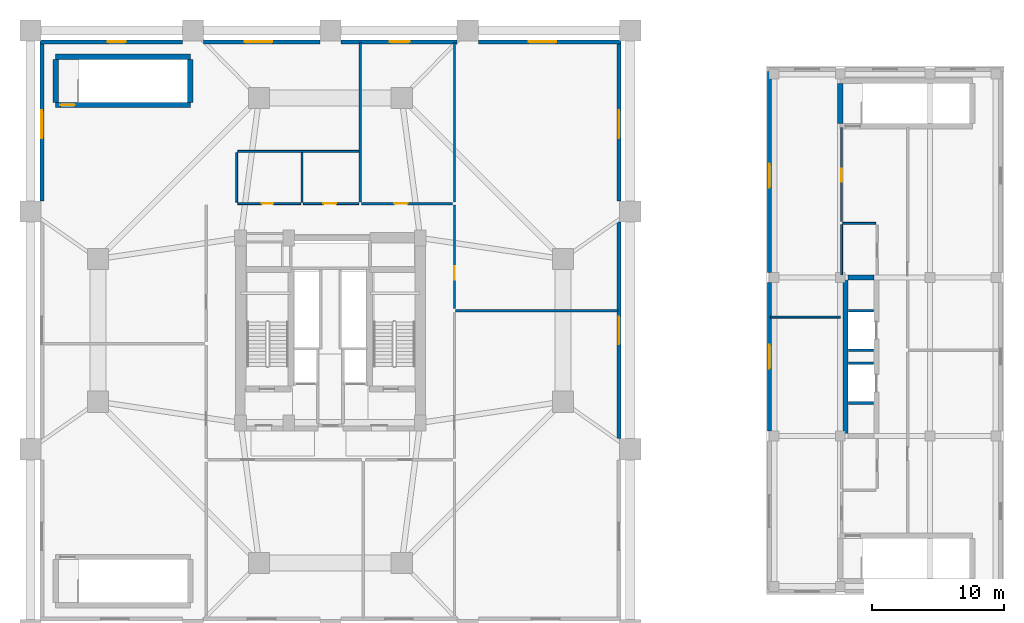
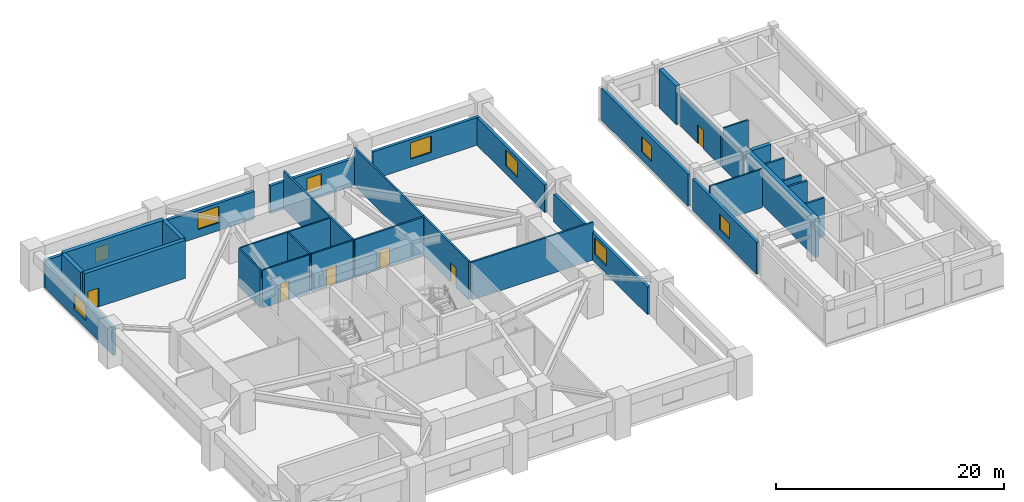
# One storey, part 4 of 8: 34 walls, 9 windows, 6 doors, 15 openings.
"""IFC4 building model written with IfcOpenShell, lengths in metres."""

from ifc_helpers import new_model, si_unit, direction, frame, frame_2d, origin, place, context, subcontext, project, spatial, rectangle, extrude, source, transform, mapped, material, layer, layer_set, type_object, element, fill, save


model = new_model("IFC4")

# Units and contexts
model_context = context("Model", 3, precision=1e-05, world=origin(), true_north=direction((0.0, 1.0)))
body_context = subcontext(model_context, "Body", "Model", "MODEL_VIEW")
ifc_project = project(units=[si_unit("LENGTHUNIT", "METRE"), si_unit("AREAUNIT", "SQUARE_METRE"), si_unit("VOLUMEUNIT", "CUBIC_METRE"), si_unit("PLANEANGLEUNIT", "RADIAN"), si_unit("MASSUNIT", "GRAM", prefix="KILO")], contexts=[model_context])

# Site, building, storey
site_placement = place(None, origin())
site = spatial("IfcSite", under=ifc_project, at=site_placement, CompositionType="ELEMENT")
building_placement = place(site_placement, origin())
building = spatial("IfcBuilding", under=site, at=building_placement, Name="Veraguas Prism Commons", CompositionType="ELEMENT")
storey_placement = place(building_placement, frame((0.0, 0.0, 18.39990234375)))
storey = spatial("IfcBuildingStorey", under=building, at=storey_placement, Name="L04", CompositionType="ELEMENT", Elevation=18.39990234375)

# Wall, opening, door
ifc_material_1 = material(Name="Concrete C50/60", Category="concrete")
ifc_layer_1 = layer(ifc_material_1, 0.39990234375, Name="Clinic and Mid Core Shear Wall RC 400", Category="concrete")
ifc_layer_set_1 = layer_set([ifc_layer_1], Name="Concrete C50/60")
wall_type_1 = type_object("IfcWallType", Name="Clinic and Mid Core Shear Wall RC 400", PredefinedType="SHEAR", material=ifc_layer_set_1)
wall_1_placement = place(storey_placement, frame((3.199951171875, 41.06005859375, 0.0), z_axis=(0.0, 0.0, 1.0), x_axis=(1.0, 0.0, 0.0)))
wall_1 = element("IfcWall", 1, at=wall_1_placement, inside=storey, type_object=wall_type_1, Name="ST-M2 South Shear Wall L04", PredefinedType="SHEAR", context=body_context, shape_type="SweptSolid", body=[
    extrude(rectangle(XDim=10.199951171875, YDim=0.39990234375, at=frame_2d((5.10009765625, 0.0))), origin(), (0.0, 0.0, 1.0), 4.050048828125),
])
opening_1_placement = place(wall_1_placement, frame((0.35009765625, 0.0, 0.0)))
opening_1 = element("IfcOpeningElement", 2, at=opening_1_placement, cuts=wall_1, Name="Opening DR-05", PredefinedType="OPENING", context=body_context, shape_type="SweptSolid", body=[
    extrude(rectangle(XDim=1.10009765625, YDim=2.030029296875, at=frame_2d((0.550048828125, 1.01513671875))), frame((0.0, 0.2099609375, 0.0), z_axis=(0.0, -1.0, 0.0), x_axis=(1.0, 0.0, 0.0)), (0.0, 0.0, 1.0), 0.419921875),
])
ifc_material_2 = material(Name="Steel fire-rated door assembly", Category="steel")
door_type_1 = type_object("IfcDoorType", Name="Protected Stair and Refuge Fire Door 1100x2030", OperationType="NOTDEFINED", PredefinedType="DOOR", material=ifc_material_2)
shared_shape_1 = source(origin(), body_context, "Body", "SweptSolid", [
    extrude(rectangle(XDim=1.10009765625, YDim=2.030029296875, at=frame_2d((0.550048828125, 1.01513671875))), frame((0.0, 0.02490234375, 0.0), z_axis=(0.0, -1.0, 0.0), x_axis=(1.0, 0.0, 0.0)), (0.0, 0.0, 1.0), 0.050048828125),
])
door_1_placement = place(opening_1_placement, origin())
door_1 = element("IfcDoor", 3, at=door_1_placement, inside=storey, type_object=door_type_1, Name="Metro Stair ST-M2 Door L04", OperationType="SINGLE_SWING_RIGHT", OverallHeight=2.030029296875, OverallWidth=1.10009765625, PredefinedType="DOOR", context=body_context, shape_type="MappedRepresentation", body=[
    mapped(shared_shape_1, transform((0.0, 0.0, 0.0), scale=1.0)),
])
fill(opening_1, door_1)

# Walls
wall_2_placement = place(storey_placement, frame((3.199951171875, 44.7099609375, 0.0), z_axis=(0.0, 0.0, 1.0), x_axis=(1.0, 0.0, 0.0)))
element("IfcWall", 4, at=wall_2_placement, inside=storey, type_object=wall_type_1, Name="ST-M2 North Shear Wall L04", PredefinedType="SHEAR", context=body_context, shape_type="SweptSolid", body=[
    extrude(rectangle(XDim=10.199951171875, YDim=0.39990234375, at=frame_2d((5.10009765625, 0.0))), origin(), (0.0, 0.0, 1.0), 4.050048828125),
])
for number, where, z_axis, x_axis, name in (
    (5, (3.199951171875, 41.260009765625, 0.0), (0.0, 0.0, 1.0), (0.0, 1.0, 0.0), "ST-M2 West Shear Wall L04"),
    (6, (13.39990234375, 41.260009765625, 0.0), (0.0, 0.0, 1.0), (0.0, 1.0, 0.0), "ST-M2 East Shear Wall L04"),
):
    element("IfcWall", number, at=place(storey_placement, frame(where, z_axis=z_axis, x_axis=x_axis)), inside=storey, type_object=wall_type_1, Name=name, PredefinedType="SHEAR", context=body_context, shape_type="SweptSolid", body=[
        extrude(rectangle(XDim=3.25, YDim=0.39990234375, at=frame_2d((1.625, 0.0))), origin(), (0.0, 0.0, 1.0), 4.050048828125),
    ])
wall_3_placement = place(storey_placement, frame((63.0, 16.0, 0.0), z_axis=(0.0, 0.0, 1.0), x_axis=(0.0, 1.0, 0.0)))
element("IfcWall", 7, at=wall_3_placement, inside=storey, type_object=wall_type_1, Name="Health Centre Core West Shear Wall L04", PredefinedType="SHEAR", context=body_context, shape_type="SweptSolid", body=[
    extrude(rectangle(XDim=12.0, YDim=0.39990234375, at=frame_2d((6.0, 0.0))), origin(), (0.0, 0.0, 1.0), 4.14013671875),
])
wall_4_placement = place(storey_placement, frame((63.199951171875, 28.0, 0.0), z_axis=(0.0, 0.0, 1.0), x_axis=(1.0, 0.0, 0.0)))
element("IfcWall", 8, at=wall_4_placement, inside=storey, type_object=wall_type_1, Name="Health Centre Core North Wall L04", PredefinedType="SHEAR", context=body_context, shape_type="SweptSolid", body=[
    extrude(rectangle(XDim=1.949951171875, YDim=0.39990234375, at=frame_2d((0.97509765625, 0.0))), origin(), (0.0, 0.0, 1.0), 4.14013671875),
])
wall_5_placement = place(storey_placement, frame((62.60009765625, 39.659912109375, 0.0), z_axis=(0.0, 0.0, 1.0), x_axis=(0.0, 1.0, 0.0)))
element("IfcWall", 9, at=wall_5_placement, inside=storey, type_object=wall_type_1, Name="ST-H2 West Shear Wall L04", PredefinedType="SHEAR", context=body_context, shape_type="SweptSolid", body=[
    extrude(rectangle(XDim=3.050048828125, YDim=0.39990234375, at=frame_2d((1.52490234375, 0.0))), origin(), (0.0, 0.0, 1.0), 4.14013671875),
])

# Wall, opening, door
ifc_material_3 = material(Name="Autoclaved aerated masonry block 10 MPa", Category="masonry")
ifc_layer_2 = layer(ifc_material_3, 0.179931640625, Name="Corridor and Inter-Tenancy Partition 180", Category="masonry")
ifc_layer_set_2 = layer_set([ifc_layer_2], Name="Autoclaved aerated masonry block 10 MPa")
wall_type_2 = type_object("IfcWallType", Name="Corridor and Inter-Tenancy Partition 180", PredefinedType="PARTITIONING", material=ifc_layer_set_2)
wall_6_placement = place(storey_placement, frame((33.39990234375, 25.64990234375, 0.0), z_axis=(0.0, 0.0, 1.0), x_axis=(0.0, 1.0, 0.0)))
wall_6 = element("IfcWall", 10, at=wall_6_placement, inside=storey, type_object=wall_type_2, Name="WL-L04-PDPT08", PredefinedType="PARTITIONING", context=body_context, shape_type="SweptSolid", body=[
    extrude(rectangle(XDim=7.85009765625, YDim=0.179931640625, at=frame_2d((3.925048828125, 0.0))), origin(), (0.0, 0.0, 1.0), 4.050048828125),
])
opening_2_placement = place(wall_6_placement, frame((2.199951171875, 0.0, 0.0)))
opening_2 = element("IfcOpeningElement", 11, at=opening_2_placement, cuts=wall_6, Name="Opening DR-13", PredefinedType="OPENING", context=body_context, shape_type="SweptSolid", body=[
    extrude(rectangle(XDim=1.0, YDim=2.010009765625, at=frame_2d((0.5, 1.0048828125))), frame((0.0, 0.099853515625, 0.0), z_axis=(0.0, -1.0, 0.0), x_axis=(1.0, 0.0, 0.0)), (0.0, 0.0, 1.0), 0.199951171875),
])
door_type_2 = type_object("IfcDoorType", Name="Core Accessible WC and Clinic Fire Door 1000x2010", OperationType="NOTDEFINED", PredefinedType="DOOR", material=ifc_material_2)
shared_shape_2 = source(origin(), body_context, "Body", "SweptSolid", [
    extrude(rectangle(XDim=1.0, YDim=2.010009765625, at=frame_2d((0.5, 1.0048828125))), frame((0.0, 0.02490234375, 0.0), z_axis=(0.0, -1.0, 0.0), x_axis=(1.0, 0.0, 0.0)), (0.0, 0.0, 1.0), 0.050048828125),
])
door_2_placement = place(opening_2_placement, origin())
door_2 = element("IfcDoor", 12, at=door_2_placement, inside=storey, type_object=door_type_2, Name="Youth Recreation Hall Door", OperationType="SINGLE_SWING_RIGHT", OverallHeight=2.010009765625, OverallWidth=1.0, PredefinedType="DOOR", context=body_context, shape_type="MappedRepresentation", body=[
    mapped(shared_shape_2, transform((0.0, 0.0, 0.0), scale=1.0)),
])
fill(opening_2, door_2)

# Wall
wall_7_placement = place(storey_placement, frame((33.47998046875, 25.5, 0.0), z_axis=(0.0, 0.0, 1.0), x_axis=(1.0, 0.0, 0.0)))
element("IfcWall", 13, at=wall_7_placement, inside=storey, type_object=wall_type_2, Name="WL-L04-PDPT09", PredefinedType="PARTITIONING", context=body_context, shape_type="SweptSolid", body=[
    extrude(rectangle(XDim=12.300048828125, YDim=0.179931640625, at=frame_2d((6.14990234375, 0.0))), origin(), (0.0, 0.0, 1.0), 4.050048828125),
])

# Wall, opening, door
wall_8_placement = place(storey_placement, frame((26.35009765625, 33.60009765625, 0.0), z_axis=(0.0, 0.0, 1.0), x_axis=(1.0, 0.0, 0.0)))
wall_8 = element("IfcWall", 14, at=wall_8_placement, inside=storey, type_object=wall_type_2, Name="WL-L04-PDPT12", PredefinedType="PARTITIONING", context=body_context, shape_type="SweptSolid", body=[
    extrude(rectangle(XDim=6.89990234375, YDim=0.179931640625, at=frame_2d((3.449951171875, 0.0))), origin(), (0.0, 0.0, 1.0), 4.050048828125),
])
opening_3_placement = place(wall_8_placement, frame((2.5, 0.0, 0.0)))
opening_3 = element("IfcOpeningElement", 15, at=opening_3_placement, cuts=wall_8, Name="Opening DR-13", PredefinedType="OPENING", context=body_context, shape_type="SweptSolid", body=[
    extrude(rectangle(XDim=1.0, YDim=2.010009765625, at=frame_2d((0.5, 1.0048828125))), frame((0.0, 0.099853515625, 0.0), z_axis=(0.0, -1.0, 0.0), x_axis=(1.0, 0.0, 0.0)), (0.0, 0.0, 1.0), 0.199951171875),
])
door_3_placement = place(opening_3_placement, origin())
door_3 = element("IfcDoor", 16, at=door_3_placement, inside=storey, type_object=door_type_2, Name="Seminar Room Door L04", OperationType="SINGLE_SWING_LEFT", OverallHeight=2.010009765625, OverallWidth=1.0, PredefinedType="DOOR", context=body_context, shape_type="MappedRepresentation", body=[
    mapped(shared_shape_2, transform((0.0, 0.0, 0.0), scale=1.0)),
])
fill(opening_3, door_3)

# Walls
for number, where, z_axis, x_axis, name in (
    (17, (26.25, 33.719970703125, 0.0), (0.0, 0.0, 1.0), (0.0, 1.0, 0.0), "WL-L04-PDPT14"),
    (18, (33.39990234375, 33.719970703125, 0.0), (0.0, 0.0, 1.0), (0.0, 1.0, 0.0), "WL-L04-PDPT14E"),
):
    element("IfcWall", number, at=place(storey_placement, frame(where, z_axis=z_axis, x_axis=x_axis)), inside=storey, type_object=wall_type_2, Name=name, PredefinedType="PARTITIONING", context=body_context, shape_type="SweptSolid", body=[
        extrude(rectangle(XDim=12.06005859375, YDim=0.179931640625, at=frame_2d((6.030029296875, 0.0))), origin(), (0.0, 0.0, 1.0), 4.050048828125),
    ])

# Wall, opening, door
wall_9_placement = place(storey_placement, frame((62.699951171875, 32.25, 0.0), z_axis=(0.0, 0.0, 1.0), x_axis=(0.0, 1.0, 0.0)))
wall_9 = element("IfcWall", 19, at=wall_9_placement, inside=storey, type_object=wall_type_2, Name="WL-L04-HCPT06", PredefinedType="PARTITIONING", context=body_context, shape_type="SweptSolid", body=[
    extrude(rectangle(XDim=7.10009765625, YDim=0.179931640625, at=frame_2d((3.550048828125, 0.0))), origin(), (0.0, 0.0, 1.0), 3.5400390625),
])
opening_4_placement = place(wall_9_placement, frame((3.0, 0.0, 0.0)))
opening_4 = element("IfcOpeningElement", 20, at=opening_4_placement, cuts=wall_9, Name="Opening DR-13", PredefinedType="OPENING", context=body_context, shape_type="SweptSolid", body=[
    extrude(rectangle(XDim=1.0, YDim=2.010009765625, at=frame_2d((0.5, 1.0048828125))), frame((0.0, 0.099853515625, 0.0), z_axis=(0.0, -1.0, 0.0), x_axis=(1.0, 0.0, 0.0)), (0.0, 0.0, 1.0), 0.199951171875),
])
door_4_placement = place(opening_4_placement, origin())
door_4 = element("IfcDoor", 21, at=door_4_placement, inside=storey, type_object=door_type_2, Name="Occupational Therapy Consulting Room Door", OperationType="SINGLE_SWING_LEFT", OverallHeight=2.010009765625, OverallWidth=1.0, PredefinedType="DOOR", context=body_context, shape_type="MappedRepresentation", body=[
    mapped(shared_shape_2, transform((0.0, 0.0, 0.0), scale=1.0)),
])
fill(opening_4, door_4)

# Wall, opening, window
ifc_material_4 = material(Name="Precast concrete C40/50", Category="concrete")
ifc_layer_3 = layer(ifc_material_4, 0.300048828125, Name="External Precast Facade Wall 300", Category="concrete")
ifc_layer_set_3 = layer_set([ifc_layer_3], Name="Precast concrete C40/50")
wall_type_3 = type_object("IfcWallType", Name="External Precast Facade Wall 300", PredefinedType="SOLIDWALL", material=ifc_layer_set_3)
wall_10_placement = place(storey_placement, frame((45.85009765625, 15.800048828125, 0.0), z_axis=(0.0, 0.0, 1.0), x_axis=(0.0, 1.0, 0.0)))
wall_10 = element("IfcWall", 22, at=wall_10_placement, inside=storey, type_object=wall_type_3, Name="Podium East Plaza Wall L04-02", PredefinedType="SOLIDWALL", context=body_context, shape_type="SweptSolid", body=[
    extrude(rectangle(XDim=16.39990234375, YDim=0.300048828125, at=frame_2d((8.199951171875, 0.0))), origin(), (0.0, 0.0, 1.0), 2.9501953125),
])
opening_5_placement = place(wall_10_placement, frame((7.14990234375, 0.0, 0.85009765625)))
opening_5 = element("IfcOpeningElement", 23, at=opening_5_placement, cuts=wall_10, Name="Opening WN-07", PredefinedType="OPENING", context=body_context, shape_type="SweptSolid", body=[
    extrude(rectangle(XDim=2.10009765625, YDim=1.75, at=frame_2d((1.050048828125, 0.875))), frame((0.0, 0.159912109375, 0.0), z_axis=(0.0, -1.0, 0.0), x_axis=(1.0, 0.0, 0.0)), (0.0, 0.0, 1.0), 0.320068359375),
])
ifc_material_5 = material(Name="Laminated low-e glass", Category="glass")
window_type_1 = type_object("IfcWindowType", Name="Podium Community Window 2100x1750", PartitioningType="DOUBLE_PANEL_VERTICAL", PredefinedType="WINDOW", material=ifc_material_5)
shared_shape_3 = source(origin(), body_context, "Body", "SweptSolid", [
    extrude(rectangle(XDim=2.10009765625, YDim=1.75, at=frame_2d((1.050048828125, 0.875))), frame((0.0, 0.030029296875, 0.0), z_axis=(0.0, -1.0, 0.0), x_axis=(1.0, 0.0, 0.0)), (0.0, 0.0, 1.0), 0.06005859375),
])
window_1_placement = place(opening_5_placement, origin())
window_1 = element("IfcWindow", 24, at=window_1_placement, inside=storey, type_object=window_type_1, Name="Podium East Window L04-02", OverallHeight=1.75, OverallWidth=2.10009765625, PartitioningType="DOUBLE_PANEL_VERTICAL", PredefinedType="WINDOW", context=body_context, shape_type="MappedRepresentation", body=[
    mapped(shared_shape_3, transform((0.0, 0.0, 0.0), scale=1.0)),
])
fill(opening_5, window_1)

wall_11_placement = place(storey_placement, frame((45.85009765625, 33.800048828125, 0.0), z_axis=(0.0, 0.0, 1.0), x_axis=(0.0, 1.0, 0.0)))
wall_11 = element("IfcWall", 25, at=wall_11_placement, inside=storey, type_object=wall_type_3, Name="Podium East Plaza Wall L04-03", PredefinedType="SOLIDWALL", context=body_context, shape_type="SweptSolid", body=[
    extrude(rectangle(XDim=11.89990234375, YDim=0.300048828125, at=frame_2d((5.949951171875, 0.0))), origin(), (0.0, 0.0, 1.0), 2.9501953125),
])
opening_6_placement = place(wall_11_placement, frame((4.75, 0.0, 0.85009765625)))
opening_6 = element("IfcOpeningElement", 26, at=opening_6_placement, cuts=wall_11, Name="Opening WN-07", PredefinedType="OPENING", context=body_context, shape_type="SweptSolid", body=[
    extrude(rectangle(XDim=2.10009765625, YDim=1.75, at=frame_2d((1.050048828125, 0.875))), frame((0.0, 0.159912109375, 0.0), z_axis=(0.0, -1.0, 0.0), x_axis=(1.0, 0.0, 0.0)), (0.0, 0.0, 1.0), 0.320068359375),
])
window_2_placement = place(opening_6_placement, origin())
window_2 = element("IfcWindow", 27, at=window_2_placement, inside=storey, type_object=window_type_1, Name="Podium East Window L04-03", OverallHeight=1.75, OverallWidth=2.10009765625, PartitioningType="DOUBLE_PANEL_VERTICAL", PredefinedType="WINDOW", context=body_context, shape_type="MappedRepresentation", body=[
    mapped(shared_shape_3, transform((0.0, 0.0, 0.0), scale=1.0)),
])
fill(opening_6, window_2)

wall_12_placement = place(storey_placement, frame((46.0, 45.85009765625, 0.0), z_axis=(0.0, 0.0, 1.0), x_axis=(-1.0, 0.0, 0.0)))
wall_12 = element("IfcWall", 28, at=wall_12_placement, inside=storey, type_object=wall_type_3, Name="Podium North Facade Wall L04-01", PredefinedType="SOLIDWALL", context=body_context, shape_type="SweptSolid", body=[
    extrude(rectangle(XDim=10.800048828125, YDim=0.300048828125, at=frame_2d((5.39990234375, 0.0))), origin(), (0.0, 0.0, 1.0), 2.9501953125),
])
opening_7_placement = place(wall_12_placement, frame((4.89990234375, 0.0, 0.85009765625)))
opening_7 = element("IfcOpeningElement", 29, at=opening_7_placement, cuts=wall_12, Name="Opening WN-07", PredefinedType="OPENING", context=body_context, shape_type="SweptSolid", body=[
    extrude(rectangle(XDim=2.10009765625, YDim=1.75, at=frame_2d((1.050048828125, 0.875))), frame((0.0, 0.159912109375, 0.0), z_axis=(0.0, -1.0, 0.0), x_axis=(1.0, 0.0, 0.0)), (0.0, 0.0, 1.0), 0.320068359375),
])
window_3_placement = place(opening_7_placement, origin())
window_3 = element("IfcWindow", 30, at=window_3_placement, inside=storey, type_object=window_type_1, Name="Podium North Window L04-01", OverallHeight=1.75, OverallWidth=2.10009765625, PartitioningType="DOUBLE_PANEL_VERTICAL", PredefinedType="WINDOW", context=body_context, shape_type="MappedRepresentation", body=[
    mapped(shared_shape_3, transform((0.0, 0.0, 0.0), scale=1.0)),
])
fill(opening_7, window_3)

wall_13_placement = place(storey_placement, frame((33.60009765625, 45.85009765625, 0.0), z_axis=(0.0, 0.0, 1.0), x_axis=(-1.0, 0.0, 0.0)))
wall_13 = element("IfcWall", 31, at=wall_13_placement, inside=storey, type_object=wall_type_3, Name="Podium North Facade Wall L04-02", PredefinedType="SOLIDWALL", context=body_context, shape_type="SweptSolid", body=[
    extrude(rectangle(XDim=8.800048828125, YDim=0.300048828125, at=frame_2d((4.39990234375, 0.0))), origin(), (0.0, 0.0, 1.0), 2.9501953125),
])
opening_8_placement = place(wall_13_placement, frame((3.60009765625, 0.0, 0.85009765625)))
opening_8 = element("IfcOpeningElement", 32, at=opening_8_placement, cuts=wall_13, Name="Opening WN-05", PredefinedType="OPENING", context=body_context, shape_type="SweptSolid", body=[
    extrude(rectangle(XDim=1.5, YDim=1.60009765625, at=frame_2d((0.75, 0.800048828125))), frame((0.0, 0.159912109375, 0.0), z_axis=(0.0, -1.0, 0.0), x_axis=(1.0, 0.0, 0.0)), (0.0, 0.0, 1.0), 0.320068359375),
])
window_type_2 = type_object("IfcWindowType", Name="Loggia Living Side Window 1500x1600", PartitioningType="DOUBLE_PANEL_VERTICAL", PredefinedType="WINDOW", material=ifc_material_5)
shared_shape_4 = source(origin(), body_context, "Body", "SweptSolid", [
    extrude(rectangle(XDim=1.5, YDim=1.60009765625, at=frame_2d((0.75, 0.800048828125))), frame((0.0, 0.030029296875, 0.0), z_axis=(0.0, -1.0, 0.0), x_axis=(1.0, 0.0, 0.0)), (0.0, 0.0, 1.0), 0.06005859375),
])
window_4_placement = place(opening_8_placement, origin())
window_4 = element("IfcWindow", 33, at=window_4_placement, inside=storey, type_object=window_type_2, Name="Podium North Window L04-02", OverallHeight=1.60009765625, OverallWidth=1.5, PartitioningType="DOUBLE_PANEL_VERTICAL", PredefinedType="WINDOW", context=body_context, shape_type="MappedRepresentation", body=[
    mapped(shared_shape_4, transform((0.0, 0.0, 0.0), scale=1.0)),
])
fill(opening_8, window_4)

wall_14_placement = place(storey_placement, frame((23.199951171875, 45.85009765625, 0.0), z_axis=(0.0, 0.0, 1.0), x_axis=(-1.0, 0.0, 0.0)))
wall_14 = element("IfcWall", 34, at=wall_14_placement, inside=storey, type_object=wall_type_3, Name="Podium North Facade Wall L04-03", PredefinedType="SOLIDWALL", context=body_context, shape_type="SweptSolid", body=[
    extrude(rectangle(XDim=8.800048828125, YDim=0.300048828125, at=frame_2d((4.39990234375, 0.0))), origin(), (0.0, 0.0, 1.0), 2.9501953125),
])
opening_9_placement = place(wall_14_placement, frame((3.60009765625, 0.0, 0.85009765625)))
opening_9 = element("IfcOpeningElement", 35, at=opening_9_placement, cuts=wall_14, Name="Opening WN-07", PredefinedType="OPENING", context=body_context, shape_type="SweptSolid", body=[
    extrude(rectangle(XDim=2.10009765625, YDim=1.75, at=frame_2d((1.050048828125, 0.875))), frame((0.0, 0.159912109375, 0.0), z_axis=(0.0, -1.0, 0.0), x_axis=(1.0, 0.0, 0.0)), (0.0, 0.0, 1.0), 0.320068359375),
])
window_5_placement = place(opening_9_placement, origin())
window_5 = element("IfcWindow", 36, at=window_5_placement, inside=storey, type_object=window_type_1, Name="Podium North Window L04-03", OverallHeight=1.75, OverallWidth=2.10009765625, PartitioningType="DOUBLE_PANEL_VERTICAL", PredefinedType="WINDOW", context=body_context, shape_type="MappedRepresentation", body=[
    mapped(shared_shape_3, transform((0.0, 0.0, 0.0), scale=1.0)),
])
fill(opening_9, window_5)

wall_15_placement = place(storey_placement, frame((12.800048828125, 45.85009765625, 0.0), z_axis=(0.0, 0.0, 1.0), x_axis=(-1.0, 0.0, 0.0)))
wall_15 = element("IfcWall", 37, at=wall_15_placement, inside=storey, type_object=wall_type_3, Name="Podium North Facade Wall L04-04", PredefinedType="SOLIDWALL", context=body_context, shape_type="SweptSolid", body=[
    extrude(rectangle(XDim=10.800048828125, YDim=0.300048828125, at=frame_2d((5.39990234375, 0.0))), origin(), (0.0, 0.0, 1.0), 2.9501953125),
])
opening_10_placement = place(wall_15_placement, frame((4.300048828125, 0.0, 0.85009765625)))
opening_10 = element("IfcOpeningElement", 38, at=opening_10_placement, cuts=wall_15, Name="Opening WN-06", PredefinedType="OPENING", context=body_context, shape_type="SweptSolid", body=[
    extrude(rectangle(XDim=1.35009765625, YDim=1.550048828125, at=frame_2d((0.675048828125, 0.77490234375))), frame((0.0, 0.159912109375, 0.0), z_axis=(0.0, -1.0, 0.0), x_axis=(1.0, 0.0, 0.0)), (0.0, 0.0, 1.0), 0.320068359375),
])
window_type_3 = type_object("IfcWindowType", Name="Loggia Bedroom Side Window 1350x1550", PartitioningType="SINGLE_PANEL", PredefinedType="WINDOW", material=ifc_material_5)
shared_shape_5 = source(origin(), body_context, "Body", "SweptSolid", [
    extrude(rectangle(XDim=1.35009765625, YDim=1.550048828125, at=frame_2d((0.675048828125, 0.77490234375))), frame((0.0, 0.030029296875, 0.0), z_axis=(0.0, -1.0, 0.0), x_axis=(1.0, 0.0, 0.0)), (0.0, 0.0, 1.0), 0.06005859375),
])
window_6_placement = place(opening_10_placement, origin())
window_6 = element("IfcWindow", 39, at=window_6_placement, inside=storey, type_object=window_type_3, Name="Podium North Window L04-04", OverallHeight=1.550048828125, OverallWidth=1.35009765625, PartitioningType="SINGLE_PANEL", PredefinedType="WINDOW", context=body_context, shape_type="MappedRepresentation", body=[
    mapped(shared_shape_5, transform((0.0, 0.0, 0.0), scale=1.0)),
])
fill(opening_10, window_6)

wall_16_placement = place(storey_placement, frame((2.14990234375, 45.699951171875, 0.0), z_axis=(0.0, 0.0, 1.0), x_axis=(0.0, -1.0, 0.0)))
wall_16 = element("IfcWall", 40, at=wall_16_placement, inside=storey, type_object=wall_type_3, Name="Podium West Facade Wall L04-01", PredefinedType="SOLIDWALL", context=body_context, shape_type="SweptSolid", body=[
    extrude(rectangle(XDim=11.89990234375, YDim=0.300048828125, at=frame_2d((5.949951171875, 0.0))), origin(), (0.0, 0.0, 1.0), 2.9501953125),
])
opening_11_placement = place(wall_16_placement, frame((5.050048828125, 0.0, 0.85009765625)))
opening_11 = element("IfcOpeningElement", 41, at=opening_11_placement, cuts=wall_16, Name="Opening WN-07", PredefinedType="OPENING", context=body_context, shape_type="SweptSolid", body=[
    extrude(rectangle(XDim=2.10009765625, YDim=1.75, at=frame_2d((1.050048828125, 0.875))), frame((0.0, 0.159912109375, 0.0), z_axis=(0.0, -1.0, 0.0), x_axis=(1.0, 0.0, 0.0)), (0.0, 0.0, 1.0), 0.320068359375),
])
window_7_placement = place(opening_11_placement, origin())
window_7 = element("IfcWindow", 42, at=window_7_placement, inside=storey, type_object=window_type_1, Name="Podium West Window L04-01", OverallHeight=1.75, OverallWidth=2.10009765625, PartitioningType="DOUBLE_PANEL_VERTICAL", PredefinedType="WINDOW", context=body_context, shape_type="MappedRepresentation", body=[
    mapped(shared_shape_3, transform((0.0, 0.0, 0.0), scale=1.0)),
])
fill(opening_11, window_7)

wall_17_placement = place(storey_placement, frame((57.25, 43.60009765625, 0.0), z_axis=(0.0, 0.0, 1.0), x_axis=(0.0, -1.0, 0.0)))
wall_17 = element("IfcWall", 43, at=wall_17_placement, inside=storey, type_object=wall_type_3, Name="Health Centre West Plaza Wall L04-01", PredefinedType="SOLIDWALL", context=body_context, shape_type="SweptSolid", body=[
    extrude(rectangle(XDim=15.22509765625, YDim=0.300048828125, at=frame_2d((7.612548828125, 0.0))), origin(), (0.0, 0.0, 1.0), 3.39013671875),
])
opening_12_placement = place(wall_17_placement, frame((7.0, 0.0, 0.85009765625)))
opening_12 = element("IfcOpeningElement", 44, at=opening_12_placement, cuts=wall_17, Name="Opening WN-01", PredefinedType="OPENING", context=body_context, shape_type="SweptSolid", body=[
    extrude(rectangle(XDim=1.800048828125, YDim=1.64990234375, at=frame_2d((0.89990234375, 0.824951171875))), frame((0.0, 0.159912109375, 0.0), z_axis=(0.0, -1.0, 0.0), x_axis=(1.0, 0.0, 0.0)), (0.0, 0.0, 1.0), 0.320068359375),
])
window_type_4 = type_object("IfcWindowType", Name="Clinic Consulting Double Window 1800x1650", PartitioningType="DOUBLE_PANEL_VERTICAL", PredefinedType="WINDOW", material=ifc_material_5)
shared_shape_6 = source(origin(), body_context, "Body", "SweptSolid", [
    extrude(rectangle(XDim=1.800048828125, YDim=1.64990234375, at=frame_2d((0.89990234375, 0.824951171875))), frame((0.0, 0.030029296875, 0.0), z_axis=(0.0, -1.0, 0.0), x_axis=(1.0, 0.0, 0.0)), (0.0, 0.0, 1.0), 0.06005859375),
])
window_8_placement = place(opening_12_placement, origin())
window_8 = element("IfcWindow", 45, at=window_8_placement, inside=storey, type_object=window_type_4, Name="Health Centre West Window L04-01", OverallHeight=1.64990234375, OverallWidth=1.800048828125, PartitioningType="DOUBLE_PANEL_VERTICAL", PredefinedType="WINDOW", context=body_context, shape_type="MappedRepresentation", body=[
    mapped(shared_shape_6, transform((0.0, 0.0, 0.0), scale=1.0)),
])
fill(opening_12, window_8)

wall_18_placement = place(storey_placement, frame((57.25, 27.625, 0.0), z_axis=(0.0, 0.0, 1.0), x_axis=(0.0, -1.0, 0.0)))
wall_18 = element("IfcWall", 46, at=wall_18_placement, inside=storey, type_object=wall_type_3, Name="Health Centre West Plaza Wall L04-02", PredefinedType="SOLIDWALL", context=body_context, shape_type="SweptSolid", body=[
    extrude(rectangle(XDim=11.25, YDim=0.300048828125, at=frame_2d((5.625, 0.0))), origin(), (0.0, 0.0, 1.0), 3.39013671875),
])
opening_13_placement = place(wall_18_placement, frame((4.72509765625, 0.0, 0.85009765625)))
opening_13 = element("IfcOpeningElement", 47, at=opening_13_placement, cuts=wall_18, Name="Opening WN-01", PredefinedType="OPENING", context=body_context, shape_type="SweptSolid", body=[
    extrude(rectangle(XDim=1.800048828125, YDim=1.64990234375, at=frame_2d((0.89990234375, 0.824951171875))), frame((0.0, 0.159912109375, 0.0), z_axis=(0.0, -1.0, 0.0), x_axis=(1.0, 0.0, 0.0)), (0.0, 0.0, 1.0), 0.320068359375),
])
window_9_placement = place(opening_13_placement, origin())
window_9 = element("IfcWindow", 48, at=window_9_placement, inside=storey, type_object=window_type_4, Name="Health Centre West Window L04-02", OverallHeight=1.64990234375, OverallWidth=1.800048828125, PartitioningType="DOUBLE_PANEL_VERTICAL", PredefinedType="WINDOW", context=body_context, shape_type="MappedRepresentation", body=[
    mapped(shared_shape_6, transform((0.0, 0.0, 0.0), scale=1.0)),
])
fill(opening_13, window_9)

# Walls
ifc_layer_4 = layer(ifc_material_3, 0.199951171875, Name="Rated Shaft and Lobby Block Wall 200", Category="masonry")
ifc_layer_set_4 = layer_set([ifc_layer_4], Name="Autoclaved aerated masonry block 10 MPa")
wall_type_4 = type_object("IfcWallType", Name="Rated Shaft and Lobby Block Wall 200", PredefinedType="SOLIDWALL", material=ifc_layer_set_4)
for number, where, z_axis, x_axis, name in (
    (49, (63.219970703125, 18.5, 0.0), (0.0, 0.0, 1.0), (1.0, 0.0, 0.0), "Health Centre Lift Shaft Divider Wall L04-CL1S"),
    (50, (63.219970703125, 21.5, 0.0), (0.0, 0.0, 1.0), (1.0, 0.0, 0.0), "Health Centre Lift Shaft Divider Wall L04-CL1N"),
    (51, (63.219970703125, 22.5, 0.0), (0.0, 0.0, 1.0), (1.0, 0.0, 0.0), "Health Centre Lift Shaft Divider Wall L04-CL2S"),
    (52, (63.219970703125, 25.5, 0.0), (0.0, 0.0, 1.0), (1.0, 0.0, 0.0), "Health Centre Lift Shaft Divider Wall L04-CL2N"),
):
    element("IfcWall", number, at=place(storey_placement, frame(where, z_axis=z_axis, x_axis=x_axis)), inside=storey, type_object=wall_type_4, Name=name, PredefinedType="SOLIDWALL", context=body_context, shape_type="SweptSolid", body=[
        extrude(rectangle(XDim=1.909912109375, YDim=0.199951171875, at=frame_2d((0.955078125, 0.0))), origin(), (0.0, 0.0, 1.0), 4.14013671875),
    ])

# Wall, opening, door
ifc_material_6 = material(Name="Lightweight acoustic gypsum board")
ifc_layer_5 = layer(ifc_material_6, 0.14990234375, Name="Wet Room and Clinic Acoustic Partition 150")
ifc_layer_set_5 = layer_set([ifc_layer_5], Name="Lightweight acoustic gypsum board")
wall_type_5 = type_object("IfcWallType", Name="Wet Room and Clinic Acoustic Partition 150", PredefinedType="PARTITIONING", material=ifc_layer_set_5)
wall_19_placement = place(storey_placement, frame((17.0, 33.60009765625, 0.0), z_axis=(0.0, 0.0, 1.0), x_axis=(1.0, 0.0, 0.0)))
wall_19 = element("IfcWall", 53, at=wall_19_placement, inside=storey, type_object=wall_type_5, Name="WL-L04-PDPT10", PredefinedType="PARTITIONING", context=body_context, shape_type="SweptSolid", body=[
    extrude(rectangle(XDim=4.75, YDim=0.14990234375, at=frame_2d((2.375, 0.0))), origin(), (0.0, 0.0, 1.0), 4.050048828125),
])
opening_14_placement = place(wall_19_placement, frame((1.800048828125, 0.0, 0.0)))
opening_14 = element("IfcOpeningElement", 54, at=opening_14_placement, cuts=wall_19, Name="Opening DR-12", PredefinedType="OPENING", context=body_context, shape_type="SweptSolid", body=[
    extrude(rectangle(XDim=0.860107421875, YDim=2.010009765625, at=frame_2d((0.43017578125, 1.0048828125))), frame((0.0, 0.0849609375, 0.0), z_axis=(0.0, -1.0, 0.0), x_axis=(1.0, 0.0, 0.0)), (0.0, 0.0, 1.0), 0.169921875),
])
door_type_3 = type_object("IfcDoorType", Name="Core WC Fire Door 860x2010", OperationType="NOTDEFINED", PredefinedType="DOOR", material=ifc_material_2)
shared_shape_7 = source(origin(), body_context, "Body", "SweptSolid", [
    extrude(rectangle(XDim=0.860107421875, YDim=2.010009765625, at=frame_2d((0.43017578125, 1.0048828125))), frame((0.0, 0.02490234375, 0.0), z_axis=(0.0, -1.0, 0.0), x_axis=(1.0, 0.0, 0.0)), (0.0, 0.0, 1.0), 0.050048828125),
])
door_5_placement = place(opening_14_placement, origin())
door_5 = element("IfcDoor", 55, at=door_5_placement, inside=storey, type_object=door_type_3, Name="Podium WC Door L04", OperationType="SINGLE_SWING_LEFT", OverallHeight=2.010009765625, OverallWidth=0.860107421875, PredefinedType="DOOR", context=body_context, shape_type="MappedRepresentation", body=[
    mapped(shared_shape_7, transform((0.0, 0.0, 0.0), scale=1.0)),
])
fill(opening_14, door_5)

wall_20_placement = place(storey_placement, frame((21.949951171875, 33.60009765625, 0.0), z_axis=(0.0, 0.0, 1.0), x_axis=(1.0, 0.0, 0.0)))
wall_20 = element("IfcWall", 56, at=wall_20_placement, inside=storey, type_object=wall_type_5, Name="WL-L04-PDPT11", PredefinedType="PARTITIONING", context=body_context, shape_type="SweptSolid", body=[
    extrude(rectangle(XDim=4.199951171875, YDim=0.14990234375, at=frame_2d((2.10009765625, 0.0))), origin(), (0.0, 0.0, 1.0), 4.050048828125),
])
opening_15_placement = place(wall_20_placement, frame((1.5, 0.0, 0.0)))
opening_15 = element("IfcOpeningElement", 57, at=opening_15_placement, cuts=wall_20, Name="Opening DR-13", PredefinedType="OPENING", context=body_context, shape_type="SweptSolid", body=[
    extrude(rectangle(XDim=1.0, YDim=2.010009765625, at=frame_2d((0.5, 1.0048828125))), frame((0.0, 0.0849609375, 0.0), z_axis=(0.0, -1.0, 0.0), x_axis=(1.0, 0.0, 0.0)), (0.0, 0.0, 1.0), 0.169921875),
])
door_6_placement = place(opening_15_placement, origin())
door_6 = element("IfcDoor", 58, at=door_6_placement, inside=storey, type_object=door_type_2, Name="Podium Accessible WC Door L04", OperationType="SINGLE_SWING_RIGHT", OverallHeight=2.010009765625, OverallWidth=1.0, PredefinedType="DOOR", context=body_context, shape_type="MappedRepresentation", body=[
    mapped(shared_shape_2, transform((0.0, 0.0, 0.0), scale=1.0)),
])
fill(opening_15, door_6)

# Walls
for number, where, z_axis, x_axis, name in (
    (59, (16.89990234375, 33.719970703125, 0.0), (0.0, 0.0, 1.0), (0.0, 1.0, 0.0), "WL-L04-PDPT13W"),
    (60, (21.85009765625, 33.719970703125, 0.0), (0.0, 0.0, 1.0), (0.0, 1.0, 0.0), "WL-L04-PDPT13"),
):
    element("IfcWall", number, at=place(storey_placement, frame(where, z_axis=z_axis, x_axis=x_axis)), inside=storey, type_object=wall_type_5, Name=name, PredefinedType="PARTITIONING", context=body_context, shape_type="SweptSolid", body=[
        extrude(rectangle(XDim=3.72998046875, YDim=0.14990234375, at=frame_2d((1.864990234375, 0.0))), origin(), (0.0, 0.0, 1.0), 4.050048828125),
    ])
wall_21_placement = place(storey_placement, frame((17.0, 37.550048828125, 0.0), z_axis=(0.0, 0.0, 1.0), x_axis=(1.0, 0.0, 0.0)))
element("IfcWall", 61, at=wall_21_placement, inside=storey, type_object=wall_type_5, Name="WL-L04-PDPT15", PredefinedType="PARTITIONING", context=body_context, shape_type="SweptSolid", body=[
    extrude(rectangle(XDim=9.14990234375, YDim=0.14990234375, at=frame_2d((4.574951171875, 0.0))), origin(), (0.0, 0.0, 1.0), 4.050048828125),
])
wall_22_placement = place(storey_placement, frame((62.800048828125, 32.10009765625, 0.0), z_axis=(0.0, 0.0, 1.0), x_axis=(1.0, 0.0, 0.0)))
element("IfcWall", 62, at=wall_22_placement, inside=storey, type_object=wall_type_5, Name="WL-L04-HCPT03", PredefinedType="PARTITIONING", context=body_context, shape_type="SweptSolid", body=[
    extrude(rectangle(XDim=2.5, YDim=0.14990234375, at=frame_2d((1.25, 0.0))), origin(), (0.0, 0.0, 1.0), 4.14013671875),
])
wall_23_placement = place(storey_placement, frame((62.699951171875, 28.199951171875, 0.0), z_axis=(0.0, 0.0, 1.0), x_axis=(0.0, 1.0, 0.0)))
element("IfcWall", 63, at=wall_23_placement, inside=storey, type_object=wall_type_5, Name="WL-L04-HCPT03W", PredefinedType="PARTITIONING", context=body_context, shape_type="SweptSolid", body=[
    extrude(rectangle(XDim=3.800048828125, YDim=0.14990234375, at=frame_2d((1.89990234375, 0.0))), origin(), (0.0, 0.0, 1.0), 3.5400390625),
])
wall_24_placement = place(storey_placement, frame((57.320068359375, 25.0, 0.0), z_axis=(0.0, 0.0, 1.0), x_axis=(1.0, 0.0, 0.0)))
element("IfcWall", 64, at=wall_24_placement, inside=storey, type_object=wall_type_5, Name="WL-L04-HCPT07", PredefinedType="PARTITIONING", context=body_context, shape_type="SweptSolid", body=[
    extrude(rectangle(XDim=5.300048828125, YDim=0.14990234375, at=frame_2d((2.64990234375, 0.0))), origin(), (0.0, 0.0, 1.0), 4.14013671875),
])

save(model, "model.ifc")
